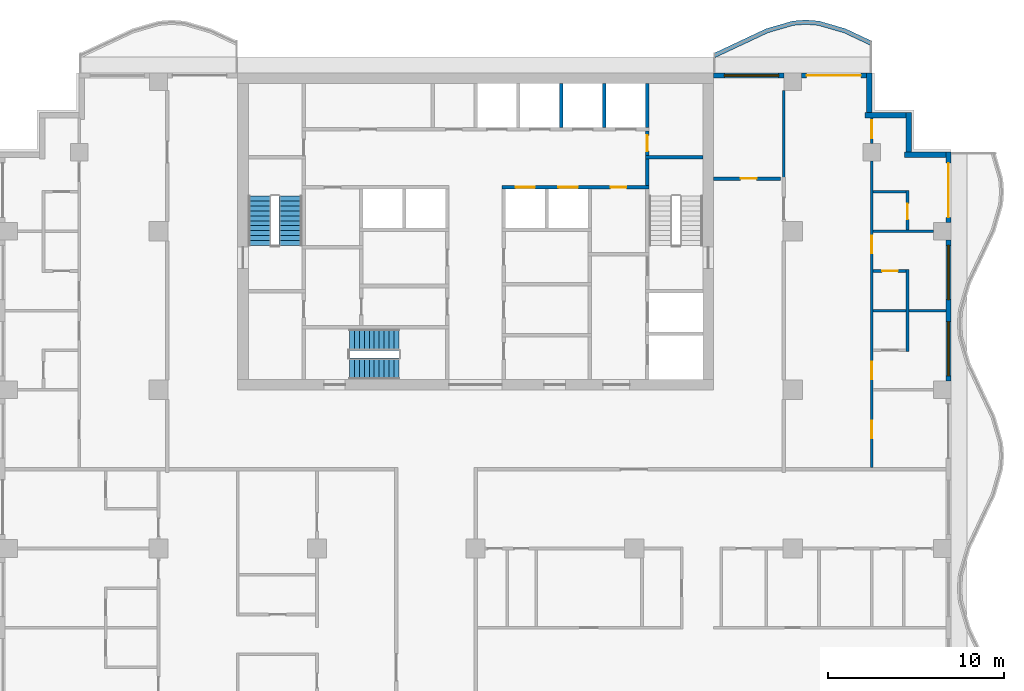
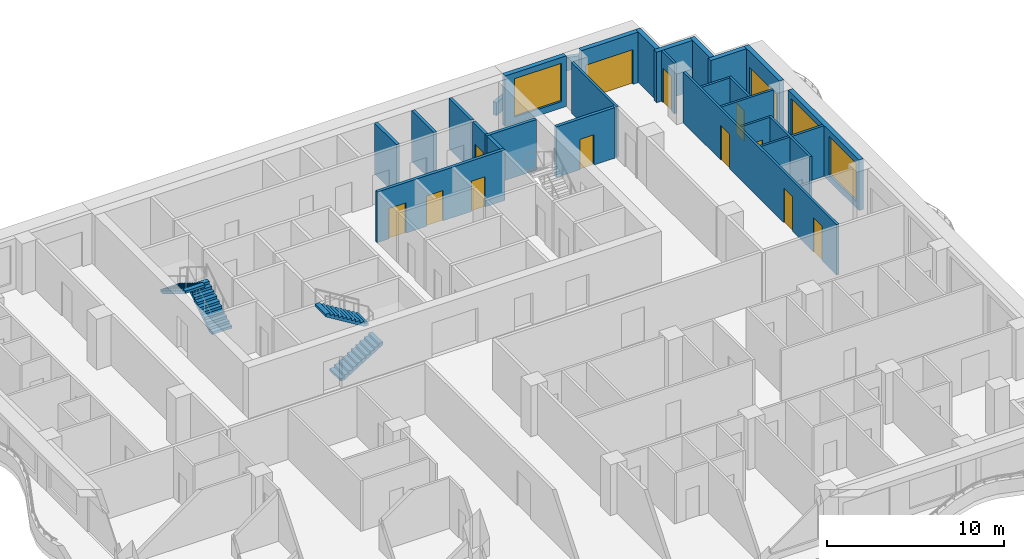
# One storey, part 7 of 12: 27 walls, 13 doors, 4 stair flights, 3 windows, 16 openings, 2 elements without a shape of their own.
"""IFC4 building model written with IfcOpenShell, lengths in metres."""

from ifc_helpers import new_model, si_unit, direction, frame, frame_2d, origin, place, context, subcontext, project, spatial, polyline, rectangle, outline, extrude, material, layer, layer_set, type_object, element, fill, aggregate, save


model = new_model("IFC4")

# Units and contexts
model_context = context("Model", 3, precision=1e-05, world=origin(), true_north=direction((0.0, 1.0)))
body_context = subcontext(model_context, "Body", "Model", "MODEL_VIEW")
ifc_project = project(units=[si_unit("LENGTHUNIT", "METRE"), si_unit("AREAUNIT", "SQUARE_METRE"), si_unit("VOLUMEUNIT", "CUBIC_METRE"), si_unit("PLANEANGLEUNIT", "RADIAN"), si_unit("MASSUNIT", "GRAM", prefix="KILO")], contexts=[model_context])

# Site, building, storey
site_placement = place(None, origin())
site = spatial("IfcSite", under=ifc_project, at=site_placement, CompositionType="ELEMENT")
building_placement = place(site_placement, origin())
building = spatial("IfcBuilding", under=site, at=building_placement, Name="Orbiselva Terraces", CompositionType="ELEMENT")
storey_placement = place(building_placement, frame((0.0, 0.0, 211.0)))
storey = spatial("IfcBuildingStorey", under=building, at=storey_placement, Name="L53", CompositionType="ELEMENT", Elevation=211.0)

# Wall, opening, door
ifc_material_1 = material(Name="Masonry blockwork", Category="masonry")
ifc_layer_1 = layer(ifc_material_1, 0.2)
ifc_layer_set_1 = layer_set([ifc_layer_1], Name="Masonry blockwork")
wall_type_1 = type_object("IfcWallType", Name="CORE-WALL-PARTITION-200", PredefinedType="PARTITIONING", material=ifc_layer_set_1)
wall_1_placement = place(storey_placement, frame((9.75, 19.2, 0.0), z_axis=(0.0, 0.0, 1.0), x_axis=(0.0, -1.0, 0.0)))
wall_1 = element("IfcWall", 1, at=wall_1_placement, inside=storey, type_object=wall_type_1, Name="L53 core wall 53", PredefinedType="PARTITIONING", context=body_context, shape_type="SweptSolid", body=[
    extrude(rectangle(XDim=1.4, YDim=0.2, at=frame_2d((0.7, 0.0))), origin(), (0.0, 0.0, 1.0), 3.5),
])
opening_1_placement = place(wall_1_placement, frame((0.25, 0.0, 0.0)))
opening_1 = element("IfcOpeningElement", 2, at=opening_1_placement, cuts=wall_1, Name="Opening DR900", PredefinedType="OPENING", context=body_context, shape_type="SweptSolid", body=[
    extrude(rectangle(XDim=0.9, YDim=2.1, at=frame_2d((0.45, 1.05))), frame((0.0, 0.11, 0.0), z_axis=(0.0, -1.0, 0.0), x_axis=(1.0, 0.0, 0.0)), (0.0, 0.0, 1.0), 0.22),
])
ifc_material_2 = material(Name="Steel fire door", Category="steel")
door_type_1 = type_object("IfcDoorType", Name="ROOM DOOR 900", OperationType="NOTDEFINED", PredefinedType="DOOR", material=ifc_material_2)
door_1_placement = place(opening_1_placement, origin())
door_1 = element("IfcDoor", 3, at=door_1_placement, inside=storey, type_object=door_type_1, Name="L53 ELECTRICAL RISER ROOM door", OperationType="SINGLE_SWING_RIGHT", OverallHeight=2.1, OverallWidth=0.9, PredefinedType="DOOR", context=body_context, shape_type="SweptSolid", body=[
    extrude(rectangle(XDim=0.9, YDim=2.1, at=frame_2d((0.45, 1.05))), frame((0.0, 0.025, 0.0), z_axis=(0.0, -1.0, 0.0), x_axis=(1.0, 0.0, 0.0)), (0.0, 0.0, 1.0), 0.05),
])
fill(opening_1, door_1)

# Walls
ifc_material_3 = material(Name="Concrete C40/50", Category="concrete")
ifc_layer_2 = layer(ifc_material_3, 0.2)
ifc_layer_set_2 = layer_set([ifc_layer_2], Name="Concrete C40/50")
wall_type_2 = type_object("IfcWallType", Name="CORE-WALL-SHAFT-200", PredefinedType="PARTITIONING", material=ifc_layer_set_2)
for number, where, z_axis, x_axis, name in (
    (4, (4.875, 19.4, 0.0), (0.0, 0.0, 1.0), (0.0, 1.0, 0.0), "L53 core wall 37"),
    (5, (7.3125, 19.4, 0.0), (0.0, 0.0, 1.0), (0.0, 1.0, 0.0), "L53 core wall 44"),
    (6, (9.75, 19.4, 0.0), (0.0, 0.0, 1.0), (0.0, 1.0, 0.0), "L53 core wall 54"),
):
    element("IfcWall", number, at=place(storey_placement, frame(where, z_axis=z_axis, x_axis=x_axis)), inside=storey, type_object=wall_type_2, Name=name, PredefinedType="PARTITIONING", context=body_context, shape_type="SweptSolid", body=[
        extrude(rectangle(XDim=2.5, YDim=0.2, at=frame_2d((1.25, 0.0))), origin(), (0.0, 0.0, 1.0), 3.5),
    ])

# Wall, openings, doors
ifc_material_4 = material(Name="Concrete C60/75", Category="concrete")
ifc_layer_3 = layer(ifc_material_4, 0.2)
ifc_layer_set_3 = layer_set([ifc_layer_3], Name="Concrete C60/75")
wall_type_3 = type_object("IfcWallType", Name="CORE-WALL-SHEAR-200", PredefinedType="SHEAR", material=ifc_layer_set_3)
wall_2_placement = place(storey_placement, frame((9.85, 16.0, 0.0), z_axis=(0.0, 0.0, 1.0), x_axis=(-1.0, 0.0, 0.0)))
wall_2 = element("IfcWall", 7, at=wall_2_placement, inside=storey, type_object=wall_type_3, Name="L53 core wall 34", PredefinedType="SHEAR", context=body_context, shape_type="SweptSolid", body=[
    extrude(rectangle(XDim=8.35, YDim=0.2, at=frame_2d((4.175, 0.0))), origin(), (0.0, 0.0, 1.0), 3.5),
])
opening_2_placement = place(wall_2_placement, frame((6.48125, 0.0, 0.0)))
opening_2 = element("IfcOpeningElement", 8, at=opening_2_placement, cuts=wall_2, Name="Opening LD-HR5", PredefinedType="OPENING", context=body_context, shape_type="SweptSolid", body=[
    extrude(rectangle(XDim=1.1, YDim=2.1, at=frame_2d((0.55, 1.05))), frame((0.0, 0.11, 0.0), z_axis=(0.0, -1.0, 0.0), x_axis=(1.0, 0.0, 0.0)), (0.0, 0.0, 1.0), 0.22),
])
opening_3_placement = place(wall_2_placement, frame((4.04375, 0.0, 0.0)))
opening_3 = element("IfcOpeningElement", 9, at=opening_3_placement, cuts=wall_2, Name="Opening LD-HR6", PredefinedType="OPENING", context=body_context, shape_type="SweptSolid", body=[
    extrude(rectangle(XDim=1.1, YDim=2.1, at=frame_2d((0.55, 1.05))), frame((0.0, 0.11, 0.0), z_axis=(0.0, -1.0, 0.0), x_axis=(1.0, 0.0, 0.0)), (0.0, 0.0, 1.0), 0.22),
])
opening_4_placement = place(wall_2_placement, frame((1.2875, 0.0, 0.0)))
opening_4 = element("IfcOpeningElement", 10, at=opening_4_placement, cuts=wall_2, Name="Opening DR900", PredefinedType="OPENING", context=body_context, shape_type="SweptSolid", body=[
    extrude(rectangle(XDim=0.9, YDim=2.1, at=frame_2d((0.45, 1.05))), frame((0.0, 0.11, 0.0), z_axis=(0.0, -1.0, 0.0), x_axis=(1.0, 0.0, 0.0)), (0.0, 0.0, 1.0), 0.22),
])
ifc_material_5 = material(Name="Stainless steel landing door", Category="steel")
door_type_2 = type_object("IfcDoorType", Name="LANDING DOOR 1100", OperationType="SLIDING_TO_LEFT", PredefinedType="DOOR", material=ifc_material_5)
door_2_placement = place(opening_2_placement, origin())
door_2 = element("IfcDoor", 11, at=door_2_placement, inside=storey, type_object=door_type_2, Name="L53 landing door HR5", OperationType="SLIDING_TO_RIGHT", OverallHeight=2.1, OverallWidth=1.1, PredefinedType="DOOR", context=body_context, shape_type="SweptSolid", body=[
    extrude(rectangle(XDim=1.1, YDim=2.1, at=frame_2d((0.55, 1.05))), frame((0.0, 0.025, 0.0), z_axis=(0.0, -1.0, 0.0), x_axis=(1.0, 0.0, 0.0)), (0.0, 0.0, 1.0), 0.05),
])
fill(opening_2, door_2)
door_3_placement = place(opening_3_placement, origin())
door_3 = element("IfcDoor", 12, at=door_3_placement, inside=storey, type_object=door_type_2, Name="L53 landing door HR6", OperationType="SLIDING_TO_RIGHT", OverallHeight=2.1, OverallWidth=1.1, PredefinedType="DOOR", context=body_context, shape_type="SweptSolid", body=[
    extrude(rectangle(XDim=1.1, YDim=2.1, at=frame_2d((0.55, 1.05))), frame((0.0, 0.025, 0.0), z_axis=(0.0, -1.0, 0.0), x_axis=(1.0, 0.0, 0.0)), (0.0, 0.0, 1.0), 0.05),
])
fill(opening_3, door_3)
door_4_placement = place(opening_4_placement, origin())
door_4 = element("IfcDoor", 13, at=door_4_placement, inside=storey, type_object=door_type_1, Name="L53 PIPE RISER ROOM door", OperationType="SINGLE_SWING_LEFT", OverallHeight=2.1, OverallWidth=0.9, PredefinedType="DOOR", context=body_context, shape_type="SweptSolid", body=[
    extrude(rectangle(XDim=0.9, YDim=2.1, at=frame_2d((0.45, 1.05))), frame((0.0, 0.025, 0.0), z_axis=(0.0, -1.0, 0.0), x_axis=(1.0, 0.0, 0.0)), (0.0, 0.0, 1.0), 0.05),
])
fill(opening_4, door_4)

# Walls
wall_3_placement = place(storey_placement, frame((9.75, 16.1, 0.0), z_axis=(0.0, 0.0, 1.0), x_axis=(0.0, 1.0, 0.0)))
element("IfcWall", 14, at=wall_3_placement, inside=storey, type_object=wall_type_3, Name="L53 core wall 51", PredefinedType="SHEAR", context=body_context, shape_type="SweptSolid", body=[
    extrude(rectangle(XDim=1.5, YDim=0.2, at=frame_2d((0.75, 0.0))), origin(), (0.0, 0.0, 1.0), 3.5),
])
wall_4_placement = place(storey_placement, frame((9.65, 17.7, 0.0), z_axis=(0.0, 0.0, 1.0), x_axis=(1.0, 0.0, 0.0)))
element("IfcWall", 15, at=wall_4_placement, inside=storey, type_object=wall_type_3, Name="L53 core wall 52", PredefinedType="SHEAR", context=body_context, shape_type="SweptSolid", body=[
    extrude(rectangle(XDim=3.25, YDim=0.2, at=frame_2d((1.625, 0.0))), origin(), (0.0, 0.0, 1.0), 3.5),
])
ifc_layer_4 = layer(ifc_material_3, 0.25)
ifc_layer_set_4 = layer_set([ifc_layer_4], Name="Concrete C40/50")
wall_type_4 = type_object("IfcWallType", Name="ENV-PLANTER-250x900", PredefinedType="USERDEFINED", material=ifc_layer_set_4)
wall_5_placement = place(storey_placement, origin())
element("IfcWall", 16, at=wall_5_placement, inside=storey, type_object=wall_type_4, Name="Balcony planter L53 NE", ObjectType="PLANTER", PredefinedType="USERDEFINED", context=body_context, shape_type="SweptSolid", body=[
    extrude(outline(polyline([(22.5, 24.3), (21.0, 25.005342), (19.5, 25.441268), (18.75, 25.5), (18.0, 25.441268), (16.5, 25.005342), (15.0, 24.3), (13.5, 23.594658), (13.606383, 23.368422), (15.106383, 24.073764), (16.588618, 24.770753), (18.045114, 25.194035), (18.75, 25.249235), (19.454886, 25.194035), (20.911382, 24.770753), (22.393617, 24.073764), (22.5, 24.3)])), origin(), (0.0, 0.0, 1.0), 0.9),
])

# Wall, openings, windows
ifc_material_6 = material(Name="Terracotta cladding on masonry backing", Category="masonry")
ifc_layer_5 = layer(ifc_material_6, 0.3)
ifc_layer_set_5 = layer_set([ifc_layer_5], Name="Terracotta cladding on masonry backing")
wall_type_5 = type_object("IfcWallType", Name="ENV-WALL-TERRACOTTA-300", PredefinedType="SOLIDWALL", material=ifc_layer_set_5)
wall_6_placement = place(storey_placement, frame((26.85, 13.0, 0.0), z_axis=(0.0, 0.0, 1.0), x_axis=(0.0, -1.0, 0.0)))
wall_6 = element("IfcWall", 17, at=wall_6_placement, inside=storey, type_object=wall_type_5, Name="Facade wall L53 E", PredefinedType="SOLIDWALL", context=body_context, shape_type="SweptSolid", body=[
    extrude(rectangle(XDim=8.0, YDim=0.3, at=frame_2d((4.0, 0.0))), origin(), (0.0, 0.0, 1.0), 3.5),
])
opening_5_placement = place(wall_6_placement, frame((4.625, 0.0, 0.45)))
opening_5 = element("IfcOpeningElement", 18, at=opening_5_placement, cuts=wall_6, Name="Opening WN15", PredefinedType="OPENING", context=body_context, shape_type="SweptSolid", body=[
    extrude(rectangle(XDim=3.075, YDim=2.65, at=frame_2d((1.5375, 1.325))), frame((0.0, 0.16, 0.0), z_axis=(0.0, -1.0, 0.0), x_axis=(1.0, 0.0, 0.0)), (0.0, 0.0, 1.0), 0.32),
])
opening_6_placement = place(wall_6_placement, frame((0.3, 0.0, 0.45)))
opening_6 = element("IfcOpeningElement", 19, at=opening_6_placement, cuts=wall_6, Name="Opening WN15", PredefinedType="OPENING", context=body_context, shape_type="SweptSolid", body=[
    extrude(rectangle(XDim=3.075, YDim=2.65, at=frame_2d((1.5375, 1.325))), frame((0.0, 0.16, 0.0), z_axis=(0.0, -1.0, 0.0), x_axis=(1.0, 0.0, 0.0)), (0.0, 0.0, 1.0), 0.32),
])
ifc_material_7 = material(Name="Clear low-e glazing in aluminium frame", Category="aluminium")
window_type = type_object("IfcWindowType", Name="WINDOW 3075 X 2650 S450", PartitioningType="TRIPLE_PANEL_VERTICAL", PredefinedType="WINDOW", material=ifc_material_7)
window_1_placement = place(opening_5_placement, origin())
window_1 = element("IfcWindow", 20, at=window_1_placement, inside=storey, type_object=window_type, Name="Window L53 E", OverallHeight=2.65, OverallWidth=3.075, PartitioningType="SINGLE_PANEL", PredefinedType="WINDOW", context=body_context, shape_type="SweptSolid", body=[
    extrude(rectangle(XDim=3.075, YDim=2.65, at=frame_2d((1.5375, 1.325))), frame((0.0, 0.03, 0.0), z_axis=(0.0, -1.0, 0.0), x_axis=(1.0, 0.0, 0.0)), (0.0, 0.0, 1.0), 0.06),
])
fill(opening_5, window_1)
window_2_placement = place(opening_6_placement, origin())
window_2 = element("IfcWindow", 21, at=window_2_placement, inside=storey, type_object=window_type, Name="Window L53 E", OverallHeight=2.65, OverallWidth=3.075, PartitioningType="SINGLE_PANEL", PredefinedType="WINDOW", context=body_context, shape_type="SweptSolid", body=[
    extrude(rectangle(XDim=3.075, YDim=2.65, at=frame_2d((1.5375, 1.325))), frame((0.0, 0.03, 0.0), z_axis=(0.0, -1.0, 0.0), x_axis=(1.0, 0.0, 0.0)), (0.0, 0.0, 1.0), 0.06),
])
fill(opening_6, window_2)

# Wall, opening, door
wall_7_placement = place(storey_placement, frame((26.85, 18.0, 0.0), z_axis=(0.0, 0.0, 1.0), x_axis=(0.0, -1.0, 0.0)))
wall_7 = element("IfcWall", 22, at=wall_7_placement, inside=storey, type_object=wall_type_5, Name="Facade wall L53 E", PredefinedType="SOLIDWALL", context=body_context, shape_type="SweptSolid", body=[
    extrude(rectangle(XDim=4.0, YDim=0.3, at=frame_2d((2.0, 0.0))), origin(), (0.0, 0.0, 1.0), 3.5),
])
opening_7_placement = place(wall_7_placement, frame((0.625, 0.0, 0.0)))
opening_7 = element("IfcOpeningElement", 23, at=opening_7_placement, cuts=wall_7, Name="Opening Z4-C-E07", PredefinedType="OPENING", context=body_context, shape_type="SweptSolid", body=[
    extrude(rectangle(XDim=3.075, YDim=2.4, at=frame_2d((1.5375, 1.2))), frame((0.0, 0.16, 0.0), z_axis=(0.0, -1.0, 0.0), x_axis=(1.0, 0.0, 0.0)), (0.0, 0.0, 1.0), 0.32),
])
door_type_3 = type_object("IfcDoorType", Name="BALCONY DOOR 3075 X 2400", OperationType="DOUBLE_DOOR_SLIDING", PredefinedType="DOOR", material=ifc_material_7)
door_5_placement = place(opening_7_placement, origin())
door_5 = element("IfcDoor", 24, at=door_5_placement, inside=storey, type_object=door_type_3, Name="Z4-C-E07", OperationType="SINGLE_SWING_LEFT", OverallHeight=2.4, OverallWidth=3.075, PredefinedType="DOOR", context=body_context, shape_type="SweptSolid", body=[
    extrude(rectangle(XDim=3.075, YDim=2.4, at=frame_2d((1.5375, 1.2))), frame((0.0, 0.025, 0.0), z_axis=(0.0, -1.0, 0.0), x_axis=(1.0, 0.0, 0.0)), (0.0, 0.0, 1.0), 0.05),
])
fill(opening_7, door_5)

# Walls
wall_8_placement = place(storey_placement, frame((24.35, 17.85, 0.0), z_axis=(0.0, 0.0, 1.0), x_axis=(1.0, 0.0, 0.0)))
element("IfcWall", 25, at=wall_8_placement, inside=storey, type_object=wall_type_5, Name="Facade wall L53 STEP", PredefinedType="SOLIDWALL", context=body_context, shape_type="SweptSolid", body=[
    extrude(rectangle(XDim=2.35, YDim=0.3, at=frame_2d((1.175, 0.0))), origin(), (0.0, 0.0, 1.0), 3.5),
])
wall_9_placement = place(storey_placement, frame((24.6, 20.25, 0.0), z_axis=(0.0, 0.0, 1.0), x_axis=(0.0, -1.0, 0.0)))
element("IfcWall", 26, at=wall_9_placement, inside=storey, type_object=wall_type_5, Name="Facade wall L53 STEP", PredefinedType="SOLIDWALL", context=body_context, shape_type="SweptSolid", body=[
    extrude(rectangle(XDim=2.25, YDim=0.3, at=frame_2d((1.125, 0.0))), origin(), (0.0, 0.0, 1.0), 3.5),
])
wall_10_placement = place(storey_placement, frame((22.1, 20.1, 0.0), z_axis=(0.0, 0.0, 1.0), x_axis=(1.0, 0.0, 0.0)))
element("IfcWall", 27, at=wall_10_placement, inside=storey, type_object=wall_type_5, Name="Facade wall L53 STEP", PredefinedType="SOLIDWALL", context=body_context, shape_type="SweptSolid", body=[
    extrude(rectangle(XDim=2.35, YDim=0.3, at=frame_2d((1.175, 0.0))), origin(), (0.0, 0.0, 1.0), 3.5),
])
wall_11_placement = place(storey_placement, frame((22.35, 22.5, 0.0), z_axis=(0.0, 0.0, 1.0), x_axis=(0.0, -1.0, 0.0)))
element("IfcWall", 28, at=wall_11_placement, inside=storey, type_object=wall_type_5, Name="Facade wall L53 STEP", PredefinedType="SOLIDWALL", context=body_context, shape_type="SweptSolid", body=[
    extrude(rectangle(XDim=2.25, YDim=0.3, at=frame_2d((1.125, 0.0))), origin(), (0.0, 0.0, 1.0), 3.5),
])

# Wall, opening, door
wall_12_placement = place(storey_placement, frame((18.5, 22.35, 0.0), z_axis=(0.0, 0.0, 1.0), x_axis=(1.0, 0.0, 0.0)))
wall_12 = element("IfcWall", 29, at=wall_12_placement, inside=storey, type_object=wall_type_5, Name="Facade wall L53 NE", PredefinedType="SOLIDWALL", context=body_context, shape_type="SweptSolid", body=[
    extrude(rectangle(XDim=3.7, YDim=0.3, at=frame_2d((1.85, 0.0))), origin(), (0.0, 0.0, 1.0), 3.5),
])
opening_8_placement = place(wall_12_placement, frame((0.3, 0.0, 0.0)))
opening_8 = element("IfcOpeningElement", 30, at=opening_8_placement, cuts=wall_12, Name="Opening Z4-C-E15", PredefinedType="OPENING", context=body_context, shape_type="SweptSolid", body=[
    extrude(rectangle(XDim=3.075, YDim=2.4, at=frame_2d((1.5375, 1.2))), frame((0.0, 0.16, 0.0), z_axis=(0.0, -1.0, 0.0), x_axis=(1.0, 0.0, 0.0)), (0.0, 0.0, 1.0), 0.32),
])
door_6_placement = place(opening_8_placement, origin())
door_6 = element("IfcDoor", 31, at=door_6_placement, inside=storey, type_object=door_type_3, Name="Z4-C-E15", OperationType="SINGLE_SWING_LEFT", OverallHeight=2.4, OverallWidth=3.075, PredefinedType="DOOR", context=body_context, shape_type="SweptSolid", body=[
    extrude(rectangle(XDim=3.075, YDim=2.4, at=frame_2d((1.5375, 1.2))), frame((0.0, 0.025, 0.0), z_axis=(0.0, -1.0, 0.0), x_axis=(1.0, 0.0, 0.0)), (0.0, 0.0, 1.0), 0.05),
])
fill(opening_8, door_6)

# Wall, opening, window
wall_13_placement = place(storey_placement, frame((13.5, 22.35, 0.0), z_axis=(0.0, 0.0, 1.0), x_axis=(1.0, 0.0, 0.0)))
wall_13 = element("IfcWall", 32, at=wall_13_placement, inside=storey, type_object=wall_type_5, Name="Facade wall L53 NE", PredefinedType="SOLIDWALL", context=body_context, shape_type="SweptSolid", body=[
    extrude(rectangle(XDim=4.0, YDim=0.3, at=frame_2d((2.0, 0.0))), origin(), (0.0, 0.0, 1.0), 3.5),
])
opening_9_placement = place(wall_13_placement, frame((0.625, 0.0, 0.45)))
opening_9 = element("IfcOpeningElement", 33, at=opening_9_placement, cuts=wall_13, Name="Opening WN15", PredefinedType="OPENING", context=body_context, shape_type="SweptSolid", body=[
    extrude(rectangle(XDim=3.075, YDim=2.65, at=frame_2d((1.5375, 1.325))), frame((0.0, 0.16, 0.0), z_axis=(0.0, -1.0, 0.0), x_axis=(1.0, 0.0, 0.0)), (0.0, 0.0, 1.0), 0.32),
])
window_3_placement = place(opening_9_placement, origin())
window_3 = element("IfcWindow", 34, at=window_3_placement, inside=storey, type_object=window_type, Name="Window L53 NE", OverallHeight=2.65, OverallWidth=3.075, PartitioningType="SINGLE_PANEL", PredefinedType="WINDOW", context=body_context, shape_type="SweptSolid", body=[
    extrude(rectangle(XDim=3.075, YDim=2.65, at=frame_2d((1.5375, 1.325))), frame((0.0, 0.03, 0.0), z_axis=(0.0, -1.0, 0.0), x_axis=(1.0, 0.0, 0.0)), (0.0, 0.0, 1.0), 0.06),
])
fill(opening_9, window_3)

# Wall, opening, door
ifc_material_8 = material(Name="Plasterboard on steel stud partition", Category="steel")
ifc_layer_6 = layer(ifc_material_8, 0.2)
ifc_layer_set_6 = layer_set([ifc_layer_6], Name="Plasterboard on steel stud partition")
wall_type_6 = type_object("IfcWallType", Name="UNIT-ENTRANCE-WALL-200", PredefinedType="PARTITIONING", material=ifc_layer_set_6)
wall_14_placement = place(storey_placement, frame((13.5, 16.5, 0.0), z_axis=(0.0, 0.0, 1.0), x_axis=(1.0, 0.0, 0.0)))
wall_14 = element("IfcWall", 35, at=wall_14_placement, inside=storey, type_object=wall_type_6, Name="PARTITION L53-048", PredefinedType="PARTITIONING", context=body_context, shape_type="SweptSolid", body=[
    extrude(rectangle(XDim=3.825, YDim=0.2, at=frame_2d((1.9125, 0.0))), origin(), (0.0, 0.0, 1.0), 3.5),
])
opening_10_placement = place(wall_14_placement, frame((1.55, 0.0, 0.0)))
opening_10 = element("IfcOpeningElement", 36, at=opening_10_placement, cuts=wall_14, Name="Opening Z4-C-01", PredefinedType="OPENING", context=body_context, shape_type="SweptSolid", body=[
    extrude(rectangle(XDim=0.9, YDim=2.1, at=frame_2d((0.45, 1.05))), frame((0.0, 0.11, 0.0), z_axis=(0.0, -1.0, 0.0), x_axis=(1.0, 0.0, 0.0)), (0.0, 0.0, 1.0), 0.22),
])
ifc_material_9 = material(Name="Painted timber door leaf", Category="wood")
door_type_4 = type_object("IfcDoorType", Name="SERVICE DOOR 900", OperationType="NOTDEFINED", PredefinedType="DOOR", material=ifc_material_9)
door_7_placement = place(opening_10_placement, origin())
door_7 = element("IfcDoor", 37, at=door_7_placement, inside=storey, type_object=door_type_4, Name="Z4-C-01", OperationType="SINGLE_SWING_RIGHT", OverallHeight=2.1, OverallWidth=0.9, PredefinedType="DOOR", context=body_context, shape_type="SweptSolid", body=[
    extrude(rectangle(XDim=0.9, YDim=2.1, at=frame_2d((0.45, 1.05))), frame((0.0, 0.025, 0.0), z_axis=(0.0, -1.0, 0.0), x_axis=(1.0, 0.0, 0.0)), (0.0, 0.0, 1.0), 0.05),
])
fill(opening_10, door_7)

# Walls
ifc_layer_7 = layer(ifc_material_8, 0.15)
ifc_layer_set_7 = layer_set([ifc_layer_7], Name="Plasterboard on steel stud partition")
wall_type_7 = type_object("IfcWallType", Name="UNIT-PARTITION-150", PredefinedType="PARTITIONING", material=ifc_layer_set_7)
wall_15_placement = place(storey_placement, frame((22.575, 9.0, 0.0), z_axis=(0.0, 0.0, 1.0), x_axis=(1.0, 0.0, 0.0)))
element("IfcWall", 38, at=wall_15_placement, inside=storey, type_object=wall_type_7, Name="PARTITION L53-039", PredefinedType="PARTITIONING", context=body_context, shape_type="SweptSolid", body=[
    extrude(rectangle(XDim=1.875, YDim=0.15, at=frame_2d((0.9375, 0.0))), origin(), (0.0, 0.0, 1.0), 3.5),
])
wall_16_placement = place(storey_placement, frame((24.6, 9.0, 0.0), z_axis=(0.0, 0.0, 1.0), x_axis=(1.0, 0.0, 0.0)))
element("IfcWall", 39, at=wall_16_placement, inside=storey, type_object=wall_type_7, Name="PARTITION L53-040", PredefinedType="PARTITIONING", context=body_context, shape_type="SweptSolid", body=[
    extrude(rectangle(XDim=2.1, YDim=0.15, at=frame_2d((1.05, 0.0))), origin(), (0.0, 0.0, 1.0), 3.5),
])

# Wall, opening, door
wall_17_placement = place(storey_placement, frame((24.45, 11.25, 0.0), z_axis=(0.0, 0.0, 1.0), x_axis=(-1.0, 0.0, 0.0)))
wall_17 = element("IfcWall", 40, at=wall_17_placement, inside=storey, type_object=wall_type_7, Name="PARTITION L53-042", PredefinedType="PARTITIONING", context=body_context, shape_type="SweptSolid", body=[
    extrude(rectangle(XDim=1.875, YDim=0.15, at=frame_2d((0.9375, 0.0))), origin(), (0.0, 0.0, 1.0), 3.5),
])
opening_11_placement = place(wall_17_placement, frame((0.475, 0.0, 0.0)))
opening_11 = element("IfcOpeningElement", 41, at=opening_11_placement, cuts=wall_17, Name="Opening Z4-C-15", PredefinedType="OPENING", context=body_context, shape_type="SweptSolid", body=[
    extrude(rectangle(XDim=0.9, YDim=2.1, at=frame_2d((0.45, 1.05))), frame((0.0, 0.085, 0.0), z_axis=(0.0, -1.0, 0.0), x_axis=(1.0, 0.0, 0.0)), (0.0, 0.0, 1.0), 0.17),
])
door_type_5 = type_object("IfcDoorType", Name="BATH DOOR 900", OperationType="NOTDEFINED", PredefinedType="DOOR", material=ifc_material_9)
door_8_placement = place(opening_11_placement, origin())
door_8 = element("IfcDoor", 42, at=door_8_placement, inside=storey, type_object=door_type_5, Name="Z4-C-15", OperationType="SINGLE_SWING_LEFT", OverallHeight=2.1, OverallWidth=0.9, PredefinedType="DOOR", context=body_context, shape_type="SweptSolid", body=[
    extrude(rectangle(XDim=0.9, YDim=2.1, at=frame_2d((0.45, 1.05))), frame((0.0, 0.025, 0.0), z_axis=(0.0, -1.0, 0.0), x_axis=(1.0, 0.0, 0.0)), (0.0, 0.0, 1.0), 0.05),
])
fill(opening_11, door_8)

# Walls
wall_18_placement = place(storey_placement, frame((22.575, 13.5, 0.0), z_axis=(0.0, 0.0, 1.0), x_axis=(1.0, 0.0, 0.0)))
element("IfcWall", 43, at=wall_18_placement, inside=storey, type_object=wall_type_7, Name="PARTITION L53-045", PredefinedType="PARTITIONING", context=body_context, shape_type="SweptSolid", body=[
    extrude(rectangle(XDim=3.425, YDim=0.15, at=frame_2d((1.7125, 0.0))), origin(), (0.0, 0.0, 1.0), 3.5),
])
wall_19_placement = place(storey_placement, frame((22.575, 15.75, 0.0), z_axis=(0.0, 0.0, 1.0), x_axis=(1.0, 0.0, 0.0)))
element("IfcWall", 44, at=wall_19_placement, inside=storey, type_object=wall_type_7, Name="PARTITION L53-047", PredefinedType="PARTITIONING", context=body_context, shape_type="SweptSolid", body=[
    extrude(rectangle(XDim=1.875, YDim=0.15, at=frame_2d((0.9375, 0.0))), origin(), (0.0, 0.0, 1.0), 3.5),
])
wall_20_placement = place(storey_placement, frame((17.5, 16.4, 0.0), z_axis=(0.0, 0.0, 1.0), x_axis=(0.0, 1.0, 0.0)))
element("IfcWall", 45, at=wall_20_placement, inside=storey, type_object=wall_type_7, Name="PARTITION L53-088", PredefinedType="PARTITIONING", context=body_context, shape_type="SweptSolid", body=[
    extrude(rectangle(XDim=5.1, YDim=0.15, at=frame_2d((2.55, 0.0))), origin(), (0.0, 0.0, 1.0), 3.5),
])

# Wall, openings, doors
wall_21_placement = place(storey_placement, frame((22.5, 17.5, 0.0), z_axis=(0.0, 0.0, 1.0), x_axis=(0.0, -1.0, 0.0)))
wall_21 = element("IfcWall", 46, at=wall_21_placement, inside=storey, type_object=wall_type_7, Name="PARTITION L53-093", PredefinedType="PARTITIONING", context=body_context, shape_type="SweptSolid", body=[
    extrude(rectangle(XDim=17.4, YDim=0.15, at=frame_2d((8.7, 0.0))), origin(), (0.0, 0.0, 1.0), 3.5),
])
opening_12_placement = place(wall_21_placement, frame((14.75, 0.0, 0.0)))
opening_12 = element("IfcOpeningElement", 47, at=opening_12_placement, cuts=wall_21, Name="Opening Z4-C-11", PredefinedType="OPENING", context=body_context, shape_type="SweptSolid", body=[
    extrude(rectangle(XDim=1.0, YDim=2.4, at=frame_2d((0.5, 1.2))), frame((0.0, 0.085, 0.0), z_axis=(0.0, -1.0, 0.0), x_axis=(1.0, 0.0, 0.0)), (0.0, 0.0, 1.0), 0.17),
])
opening_13_placement = place(wall_21_placement, frame((11.4, 0.0, 0.0)))
opening_13 = element("IfcOpeningElement", 48, at=opening_13_placement, cuts=wall_21, Name="Opening Z4-C-12", PredefinedType="OPENING", context=body_context, shape_type="SweptSolid", body=[
    extrude(rectangle(XDim=1.0, YDim=2.4, at=frame_2d((0.5, 1.2))), frame((0.0, 0.085, 0.0), z_axis=(0.0, -1.0, 0.0), x_axis=(1.0, 0.0, 0.0)), (0.0, 0.0, 1.0), 0.17),
])
opening_14_placement = place(wall_21_placement, frame((4.25, 0.0, 0.0)))
opening_14 = element("IfcOpeningElement", 49, at=opening_14_placement, cuts=wall_21, Name="Opening Z4-C-14", PredefinedType="OPENING", context=body_context, shape_type="SweptSolid", body=[
    extrude(rectangle(XDim=1.0, YDim=2.4, at=frame_2d((0.5, 1.2))), frame((0.0, 0.085, 0.0), z_axis=(0.0, -1.0, 0.0), x_axis=(1.0, 0.0, 0.0)), (0.0, 0.0, 1.0), 0.17),
])
door_type_6 = type_object("IfcDoorType", Name="ROOM DOOR 1000", OperationType="NOTDEFINED", PredefinedType="DOOR", material=ifc_material_9)
door_9_placement = place(opening_12_placement, origin())
door_9 = element("IfcDoor", 50, at=door_9_placement, inside=storey, type_object=door_type_6, Name="Z4-C-11", OperationType="SINGLE_SWING_RIGHT", OverallHeight=2.4, OverallWidth=1.0, PredefinedType="DOOR", context=body_context, shape_type="SweptSolid", body=[
    extrude(rectangle(XDim=1.0, YDim=2.4, at=frame_2d((0.5, 1.2))), frame((0.0, 0.025, 0.0), z_axis=(0.0, -1.0, 0.0), x_axis=(1.0, 0.0, 0.0)), (0.0, 0.0, 1.0), 0.05),
])
fill(opening_12, door_9)
door_10_placement = place(opening_13_placement, origin())
door_10 = element("IfcDoor", 51, at=door_10_placement, inside=storey, type_object=door_type_6, Name="Z4-C-12", OperationType="SINGLE_SWING_RIGHT", OverallHeight=2.4, OverallWidth=1.0, PredefinedType="DOOR", context=body_context, shape_type="SweptSolid", body=[
    extrude(rectangle(XDim=1.0, YDim=2.4, at=frame_2d((0.5, 1.2))), frame((0.0, 0.025, 0.0), z_axis=(0.0, -1.0, 0.0), x_axis=(1.0, 0.0, 0.0)), (0.0, 0.0, 1.0), 0.05),
])
fill(opening_13, door_10)
door_11_placement = place(opening_14_placement, origin())
door_11 = element("IfcDoor", 52, at=door_11_placement, inside=storey, type_object=door_type_6, Name="Z4-C-14", OperationType="SINGLE_SWING_LEFT", OverallHeight=2.4, OverallWidth=1.0, PredefinedType="DOOR", context=body_context, shape_type="SweptSolid", body=[
    extrude(rectangle(XDim=1.0, YDim=2.4, at=frame_2d((0.5, 1.2))), frame((0.0, 0.025, 0.0), z_axis=(0.0, -1.0, 0.0), x_axis=(1.0, 0.0, 0.0)), (0.0, 0.0, 1.0), 0.05),
])
fill(opening_14, door_11)

# Wall, opening, door
wall_22_placement = place(storey_placement, frame((22.5, 19.95, 0.0), z_axis=(0.0, 0.0, 1.0), x_axis=(0.0, -1.0, 0.0)))
wall_22 = element("IfcWall", 53, at=wall_22_placement, inside=storey, type_object=wall_type_7, Name="PARTITION L53-094", PredefinedType="PARTITIONING", context=body_context, shape_type="SweptSolid", body=[
    extrude(rectangle(XDim=1.45, YDim=0.15, at=frame_2d((0.725, 0.0))), origin(), (0.0, 0.0, 1.0), 3.5),
])
opening_15_placement = place(wall_22_placement, frame((0.15, 0.0, 0.0)))
opening_15 = element("IfcOpeningElement", 54, at=opening_15_placement, cuts=wall_22, Name="Opening Z4-C-16", PredefinedType="OPENING", context=body_context, shape_type="SweptSolid", body=[
    extrude(rectangle(XDim=1.0, YDim=2.4, at=frame_2d((0.5, 1.2))), frame((0.0, 0.085, 0.0), z_axis=(0.0, -1.0, 0.0), x_axis=(1.0, 0.0, 0.0)), (0.0, 0.0, 1.0), 0.17),
])
door_12_placement = place(opening_15_placement, origin())
door_12 = element("IfcDoor", 55, at=door_12_placement, inside=storey, type_object=door_type_6, Name="Z4-C-16", OperationType="SINGLE_SWING_LEFT", OverallHeight=2.4, OverallWidth=1.0, PredefinedType="DOOR", context=body_context, shape_type="SweptSolid", body=[
    extrude(rectangle(XDim=1.0, YDim=2.4, at=frame_2d((0.5, 1.2))), frame((0.0, 0.025, 0.0), z_axis=(0.0, -1.0, 0.0), x_axis=(1.0, 0.0, 0.0)), (0.0, 0.0, 1.0), 0.05),
])
fill(opening_15, door_12)

# Wall
wall_23_placement = place(storey_placement, frame((24.525, 6.675, 0.0), z_axis=(0.0, 0.0, 1.0), x_axis=(0.0, 1.0, 0.0)))
element("IfcWall", 56, at=wall_23_placement, inside=storey, type_object=wall_type_7, Name="PARTITION L53-096", PredefinedType="PARTITIONING", context=body_context, shape_type="SweptSolid", body=[
    extrude(rectangle(XDim=4.65, YDim=0.15, at=frame_2d((2.325, 0.0))), origin(), (0.0, 0.0, 1.0), 3.5),
])

# Wall, opening, door
wall_24_placement = place(storey_placement, frame((24.525, 13.575, 0.0), z_axis=(0.0, 0.0, 1.0), x_axis=(0.0, 1.0, 0.0)))
wall_24 = element("IfcWall", 57, at=wall_24_placement, inside=storey, type_object=wall_type_7, Name="PARTITION L53-097", PredefinedType="PARTITIONING", context=body_context, shape_type="SweptSolid", body=[
    extrude(rectangle(XDim=2.25, YDim=0.15, at=frame_2d((1.125, 0.0))), origin(), (0.0, 0.0, 1.0), 3.5),
])
opening_16_placement = place(wall_24_placement, frame((0.6, 0.0, 0.0)))
opening_16 = element("IfcOpeningElement", 58, at=opening_16_placement, cuts=wall_24, Name="Opening Z4-C-17", PredefinedType="OPENING", context=body_context, shape_type="SweptSolid", body=[
    extrude(rectangle(XDim=0.9, YDim=2.1, at=frame_2d((0.45, 1.05))), frame((0.0, 0.085, 0.0), z_axis=(0.0, -1.0, 0.0), x_axis=(1.0, 0.0, 0.0)), (0.0, 0.0, 1.0), 0.17),
])
door_13_placement = place(opening_16_placement, origin())
door_13 = element("IfcDoor", 59, at=door_13_placement, inside=storey, type_object=door_type_5, Name="Z4-C-17", OperationType="SINGLE_SWING_LEFT", OverallHeight=2.1, OverallWidth=0.9, PredefinedType="DOOR", context=body_context, shape_type="SweptSolid", body=[
    extrude(rectangle(XDim=0.9, YDim=2.1, at=frame_2d((0.45, 1.05))), frame((0.0, 0.025, 0.0), z_axis=(0.0, -1.0, 0.0), x_axis=(1.0, 0.0, 0.0)), (0.0, 0.0, 1.0), 0.05),
])
fill(opening_16, door_13)

# Stair, stair flights
stair_type_1 = type_object("IfcStairType", Name="CORE-STAIR-1200", PredefinedType="HALF_TURN_STAIR", material=ifc_material_3)
stair_1_placement = place(storey_placement, origin())
stair_1 = element("IfcStair", 60, at=stair_1_placement, inside=storey, type_object=stair_type_1, Name="L53 Exit Stair S3", PredefinedType="HALF_TURN_STAIR")
stair_flight_type_1 = type_object("IfcStairFlightType", Name="CORE-STAIR-FLIGHT-1200", PredefinedType="STRAIGHT", material=ifc_material_3)
stair_flight_1_placement = place(storey_placement, frame((-7.15, 5.7, 0.0), z_axis=(0.0, 0.0, 1.0), x_axis=(1.0, 0.0, 0.0)))
stair_flight_1 = element("IfcStairFlight", 61, at=stair_flight_1_placement, type_object=stair_flight_type_1, Name="S3 flight 1", NumberOfRisers=11, NumberOfTreads=10, PredefinedType="STRAIGHT", RiserHeight=0.172727273, TreadLength=0.28, context=body_context, shape_type="SweptSolid", body=[
    extrude(outline(polyline([(0.0, 0.0), (0.0, 0.172727), (0.28, 0.172727), (0.28, 0.345455), (0.56, 0.345455), (0.56, 0.518182), (0.84, 0.518182), (0.84, 0.690909), (1.12, 0.690909), (1.12, 0.863636), (1.4, 0.863636), (1.4, 1.036364), (1.68, 1.036364), (1.68, 1.209091), (1.96, 1.209091), (1.96, 1.381818), (2.24, 1.381818), (2.24, 1.554545), (2.52, 1.554545), (2.52, 1.727273), (2.8, 1.727273), (2.8, 1.9), (2.8, 1.551028), (0.285702, 0.0), (0.0, 0.0)])), frame((0.0, 0.6, 0.0), z_axis=(0.0, -1.0, 0.0), x_axis=(1.0, 0.0, 0.0)), (0.0, 0.0, 1.0), 1.2),
])
stair_flight_2_placement = place(storey_placement, frame((-4.35, 7.35, 1.9), z_axis=(0.0, 0.0, 1.0), x_axis=(-1.0, 0.0, 0.0)))
stair_flight_2 = element("IfcStairFlight", 62, at=stair_flight_2_placement, type_object=stair_flight_type_1, Name="S3 flight 2", NumberOfRisers=11, NumberOfTreads=10, PredefinedType="STRAIGHT", RiserHeight=0.172727273, TreadLength=0.28, context=body_context, shape_type="SweptSolid", body=[
    extrude(outline(polyline([(0.0, 0.0), (0.0, 0.172727), (0.28, 0.172727), (0.28, 0.345455), (0.56, 0.345455), (0.56, 0.518182), (0.84, 0.518182), (0.84, 0.690909), (1.12, 0.690909), (1.12, 0.863636), (1.4, 0.863636), (1.4, 1.036364), (1.68, 1.036364), (1.68, 1.209091), (1.96, 1.209091), (1.96, 1.381818), (2.24, 1.381818), (2.24, 1.554545), (2.52, 1.554545), (2.52, 1.727273), (2.8, 1.727273), (2.8, 1.9), (2.8, 1.551028), (0.285702, 0.0), (0.0, 0.0)])), frame((0.0, 0.6, 0.0), z_axis=(0.0, -1.0, 0.0), x_axis=(1.0, 0.0, 0.0)), (0.0, 0.0, 1.0), 1.2),
])
aggregate(stair_1, [stair_flight_1, stair_flight_2])

stair_type_2 = type_object("IfcStairType", Name="CORE-STAIR-1300", PredefinedType="HALF_TURN_STAIR", material=ifc_material_3)
stair_2_placement = place(storey_placement, origin())
stair_2 = element("IfcStair", 63, at=stair_2_placement, inside=storey, type_object=stair_type_2, Name="L53 Exit Stair S1", PredefinedType="HALF_TURN_STAIR")
stair_flight_type_2 = type_object("IfcStairFlightType", Name="CORE-STAIR-FLIGHT-1300", PredefinedType="STRAIGHT", material=ifc_material_3)
stair_flight_3_placement = place(storey_placement, frame((-10.5, 12.7, 0.0), z_axis=(0.0, 0.0, 1.0), x_axis=(0.0, 1.0, 0.0)))
stair_flight_3 = element("IfcStairFlight", 64, at=stair_flight_3_placement, type_object=stair_flight_type_2, Name="S1 flight 1", NumberOfRisers=11, NumberOfTreads=10, PredefinedType="STRAIGHT", RiserHeight=0.172727273, TreadLength=0.28, context=body_context, shape_type="SweptSolid", body=[
    extrude(outline(polyline([(0.0, 0.0), (0.0, 0.172727), (0.28, 0.172727), (0.28, 0.345455), (0.56, 0.345455), (0.56, 0.518182), (0.84, 0.518182), (0.84, 0.690909), (1.12, 0.690909), (1.12, 0.863636), (1.4, 0.863636), (1.4, 1.036364), (1.68, 1.036364), (1.68, 1.209091), (1.96, 1.209091), (1.96, 1.381818), (2.24, 1.381818), (2.24, 1.554545), (2.52, 1.554545), (2.52, 1.727273), (2.8, 1.727273), (2.8, 1.9), (2.8, 1.551028), (0.285702, 0.0), (0.0, 0.0)])), frame((0.0, 0.65, 0.0), z_axis=(0.0, -1.0, 0.0), x_axis=(1.0, 0.0, 0.0)), (0.0, 0.0, 1.0), 1.3),
])
stair_flight_4_placement = place(storey_placement, frame((-12.25, 15.5, 1.9), z_axis=(0.0, 0.0, 1.0), x_axis=(0.0, -1.0, 0.0)))
stair_flight_4 = element("IfcStairFlight", 65, at=stair_flight_4_placement, type_object=stair_flight_type_2, Name="S1 flight 2", NumberOfRisers=11, NumberOfTreads=10, PredefinedType="STRAIGHT", RiserHeight=0.172727273, TreadLength=0.28, context=body_context, shape_type="SweptSolid", body=[
    extrude(outline(polyline([(0.0, 0.0), (0.0, 0.172727), (0.28, 0.172727), (0.28, 0.345455), (0.56, 0.345455), (0.56, 0.518182), (0.84, 0.518182), (0.84, 0.690909), (1.12, 0.690909), (1.12, 0.863636), (1.4, 0.863636), (1.4, 1.036364), (1.68, 1.036364), (1.68, 1.209091), (1.96, 1.209091), (1.96, 1.381818), (2.24, 1.381818), (2.24, 1.554545), (2.52, 1.554545), (2.52, 1.727273), (2.8, 1.727273), (2.8, 1.9), (2.8, 1.551028), (0.285702, 0.0), (0.0, 0.0)])), frame((0.0, 0.65, 0.0), z_axis=(0.0, -1.0, 0.0), x_axis=(1.0, 0.0, 0.0)), (0.0, 0.0, 1.0), 1.3),
])
aggregate(stair_2, [stair_flight_3, stair_flight_4])

save(model, "model.ifc")
